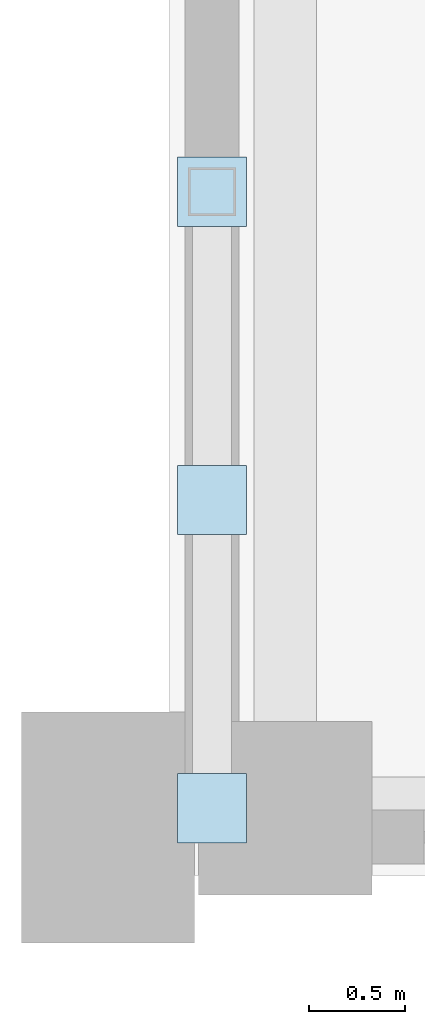
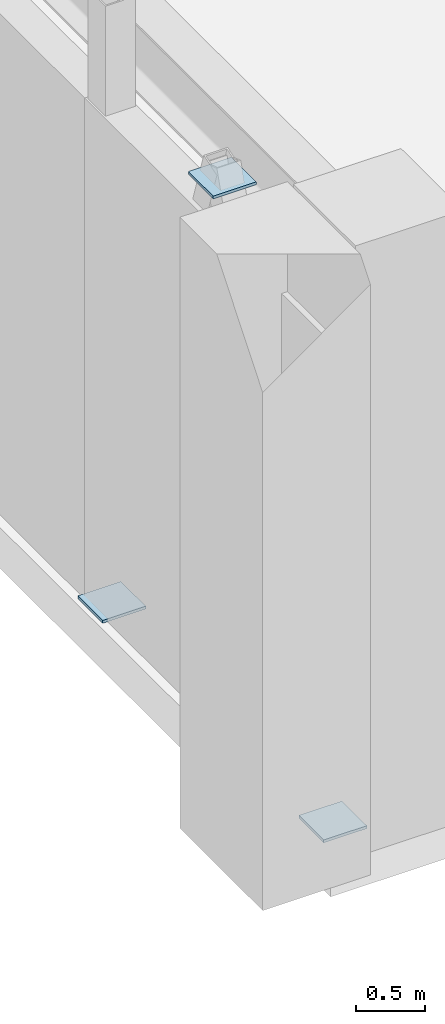
# One storey, part 120 of 159: 3 plates.
"""IFC4 building model written with IfcOpenShell, lengths in metres."""

from ifc_helpers import new_model, si_unit, derived_unit, direction, frame, origin, origin_2d, place, context, subcontext, project, spatial, rectangle, extrude, material, layer, layer_set, type_object, element, save


model = new_model("IFC4")

# Units and contexts
model_context = context("Model", 3, precision=1e-05, world=origin(), true_north=direction((0.0, 1.0)))
body_context = subcontext(model_context, "Body", "Model", "MODEL_VIEW")
ifc_project = project(units=[si_unit("LENGTHUNIT", "METRE"), si_unit("AREAUNIT", "SQUARE_METRE"), si_unit("VOLUMEUNIT", "CUBIC_METRE"), si_unit("PLANEANGLEUNIT", "RADIAN"), si_unit("MASSUNIT", "GRAM", prefix="KILO"), derived_unit("THERMALTRANSMITTANCEUNIT", [(si_unit("MASSUNIT", "GRAM", prefix="KILO"), 1), (si_unit("TIMEUNIT", "SECOND"), -3), (si_unit("THERMODYNAMICTEMPERATUREUNIT", "KELVIN"), -1)])], contexts=[model_context])

# Site, building, storey
site_placement = place(None, origin())
site = spatial("IfcSite", under=ifc_project, at=site_placement, CompositionType="ELEMENT")
building_placement = place(site_placement, origin())
building = spatial("IfcBuilding", under=site, at=building_placement, Name="Valcora Ridge Arena", CompositionType="ELEMENT")
storey_placement = place(building_placement, frame((0.0, 0.0, 6.0)))
storey = spatial("IfcBuildingStorey", under=building, at=storey_placement, Name="L01", CompositionType="ELEMENT", Elevation=6.0)

# Plates
ifc_material = material(Name="Steel ASTM A572 Grade 50", Category="steel")
ifc_layer = layer(ifc_material, 0.02490234375, Name="Steel ASTM A572 Grade 50")
ifc_layer_set = layer_set([ifc_layer], Name="Steel ASTM A572 Grade 50")
plate_type = type_object("IfcPlateType", Name="TY-PLATE-PL-GUS-25", PredefinedType="USERDEFINED", material=ifc_layer_set)
for number, where, z_axis, x_axis, name in (
    (1, (24.219970703125, 108.699951171875, 0.0), (0.0, 0.0, 1.0), (1.0, 0.0, 0.0), "PL-GUS-25 BR-GP-0022"),
    (2, (24.219970703125, 111.89990234375, 0.0), (0.0, 0.0, 1.0), (1.0, 0.0, 0.0), "PL-GUS-25 BR-GP-0023"),
    (3, (24.219970703125, 110.300048828125, 4.719970703125), (0.0, 0.0, 1.0), (1.0, 0.0, 0.0), "PL-GUS-25 BR-GP-0024"),
):
    element("IfcPlate", number, at=place(storey_placement, frame(where, z_axis=z_axis, x_axis=x_axis)), inside=storey, type_object=plate_type, Name=name, ObjectType="GUSSET_PLATE", PredefinedType="USERDEFINED", context=body_context, shape_type="SweptSolid", body=[
        extrude(rectangle(XDim=0.360107421875, YDim=0.360107421875, at=origin_2d()), origin(), (0.0, 0.0, 1.0), 0.02490234375),
    ])

save(model, "model.ifc")
